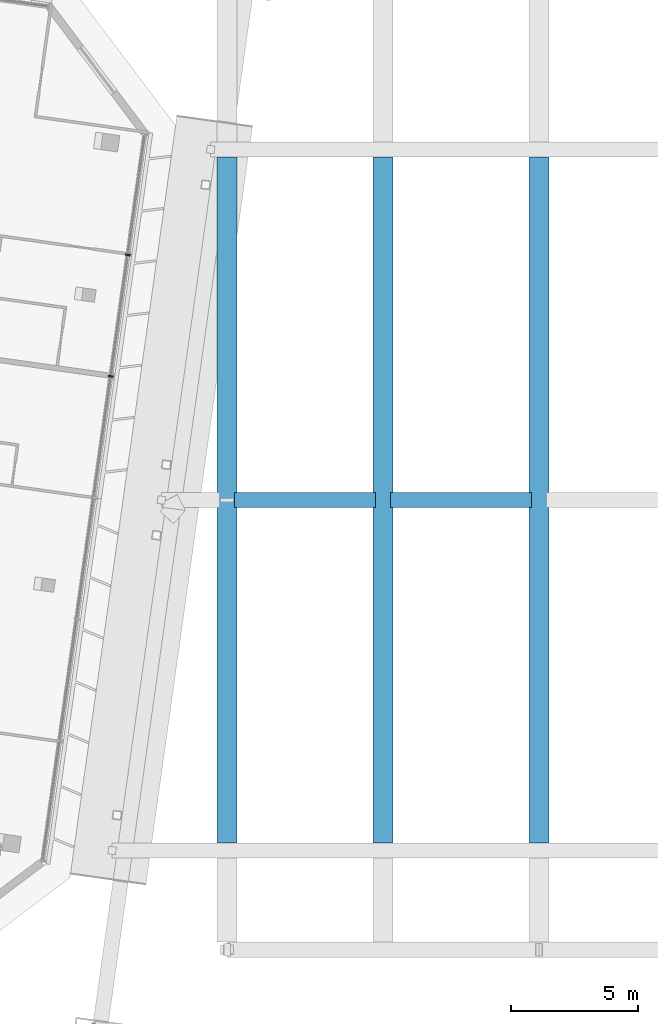
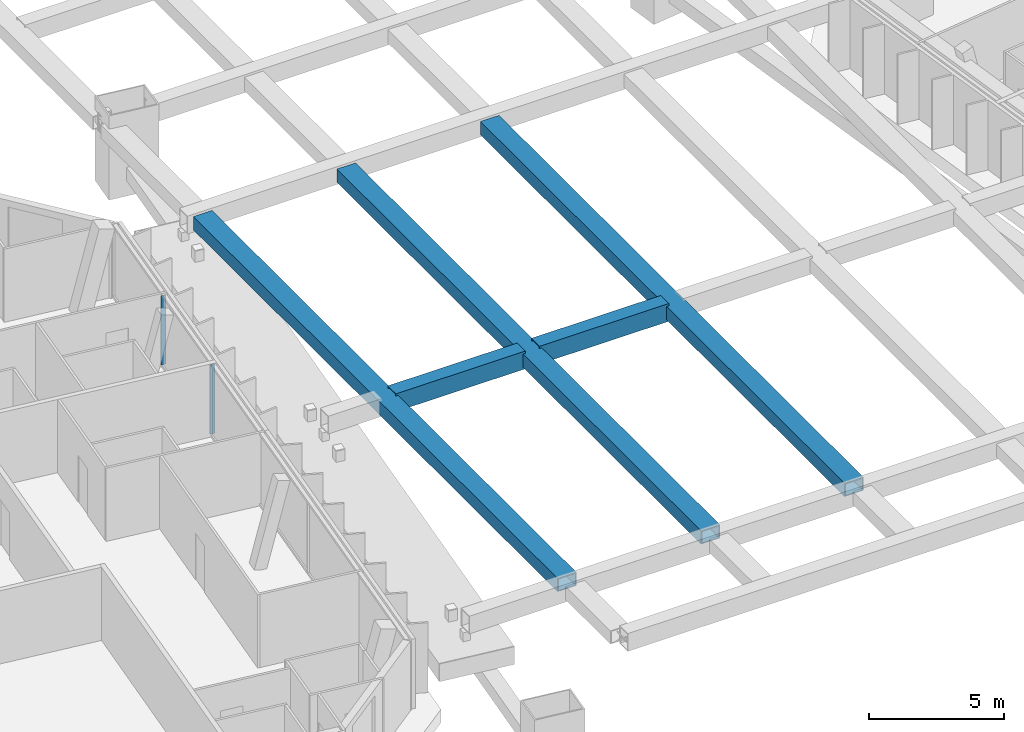
# One storey, part 8 of 36: 7 members, 1 element without a shape of its own.
"""IFC4 building model written with IfcOpenShell, lengths in metres."""

from ifc_helpers import new_model, si_unit, direction, frame, origin, origin_2d, place, context, subcontext, project, spatial, rectangle, hollow_rectangle, extrude, material, material_profile, profile_set, type_object, element, aggregate, save


model = new_model("IFC4")

# Units and contexts
model_context = context("Model", 3, precision=1e-05, world=origin(), true_north=direction((0.0, 1.0)))
body_context = subcontext(model_context, "Body", "Model", "MODEL_VIEW")
ifc_project = project(units=[si_unit("LENGTHUNIT", "METRE"), si_unit("AREAUNIT", "SQUARE_METRE"), si_unit("VOLUMEUNIT", "CUBIC_METRE"), si_unit("PLANEANGLEUNIT", "RADIAN"), si_unit("MASSUNIT", "GRAM", prefix="KILO")], contexts=[model_context])

# Site, building, storey
site_placement = place(None, origin())
site = spatial("IfcSite", under=ifc_project, at=site_placement, CompositionType="ELEMENT")
building_placement = place(site_placement, origin())
building = spatial("IfcBuilding", under=site, at=building_placement, Name="Mirante Cascada Hotel Towers", CompositionType="ELEMENT")
storey_placement = place(building_placement, frame((0.0, 0.0, 254.6)))
storey = spatial("IfcBuildingStorey", under=building, at=storey_placement, Name="L61", CompositionType="ELEMENT", Elevation=254.6)

# Members
ifc_material_1 = material(Name="Steel ASTM A572 Gr 50", Category="steel")
ifc_material_profile_1 = material_profile(ifc_material_1, hollow_rectangle(XDim=0.6, YDim=0.8, WallThickness=0.04, at=origin_2d()), Name="Box chord 800x600x40 ASTM A572 Gr 50")
ifc_profile_set_1 = profile_set([ifc_material_profile_1], Name="Steel ASTM A572 Gr 50")
member_type_1 = type_object("IfcMemberType", Name="Box chord 800x600x40 ASTM A572 Gr 50", PredefinedType="CHORD", material=ifc_profile_set_1)
for number, where, z_axis, x_axis, name in (
    (1, (-12.2514, -17.3153, 2.9), (0.0, 1.0, 0.0), (0.0, 0.0, 1.0), "dchord sky park L62 2"),
    (2, (-6.1257, -17.3153, 2.9), (0.0, 1.0, 0.0), (0.0, 0.0, 1.0), "dchord sky park L62 6"),
    (3, (0.0, -17.3153, 2.9), (0.0, 1.0, 0.0), (0.0, 0.0, 1.0), "dchord sky park L62 10"),
):
    element("IfcMember", number, at=place(storey_placement, frame(where, z_axis=z_axis, x_axis=x_axis)), inside=storey, type_object=member_type_1, Name=name, PredefinedType="CHORD", context=body_context, shape_type="SweptSolid", body=[
        extrude(hollow_rectangle(XDim=0.6, YDim=0.8, WallThickness=0.04, at=origin_2d()), origin(), (0.0, 0.0, 1.0), 26.9295),
    ])
for number, where, z_axis, x_axis, name in (
    (4, (-11.9514, -3.8505, 2.9), (1.0, 0.0, 0.0), (0.0, 1.0, 0.0), "dchord sky park L62 23"),
    (5, (-5.8257, -3.8505, 2.9), (1.0, 0.0, 0.0), (0.0, 1.0, 0.0), "dchord sky park L62 24"),
):
    element("IfcMember", number, at=place(storey_placement, frame(where, z_axis=z_axis, x_axis=x_axis)), inside=storey, type_object=member_type_1, Name=name, PredefinedType="CHORD", context=body_context, shape_type="SweptSolid", body=[
        extrude(hollow_rectangle(XDim=0.6, YDim=0.8, WallThickness=0.04, at=origin_2d()), origin(), (0.0, 0.0, 1.0), 5.5257),
    ])

# Curtain wall, members
ifc_material_2 = material(Name="Aluminium mullion and transom frame with clear laminated glass", Category="aluminium")
curtain_wall_type = type_object("IfcCurtainWallType", Name="End ribbon curtain wall ECW2", PredefinedType="NOTDEFINED", material=ifc_material_2)
curtain_wall_placement = place(storey_placement, origin())
curtain_wall = element("IfcCurtainWall", 6, at=curtain_wall_placement, inside=storey, type_object=curtain_wall_type, Name="Inner end wall T1 L61", PredefinedType="NOTDEFINED")
ifc_material_3 = material(Name="Anodised aluminium extrusion", Category="aluminium")
ifc_material_profile_2 = material_profile(ifc_material_3, rectangle(XDim=0.2, YDim=0.065, at=origin_2d()), Name="ECW2 MULLION 65x200")
ifc_profile_set_2 = profile_set([ifc_material_profile_2], Name="Anodised aluminium extrusion")
member_type_2 = type_object("IfcMemberType", Name="ECW2 mullion 65x200", PredefinedType="MULLION", material=ifc_profile_set_2)
member_1_placement = place(storey_placement, frame((-16.1456, 5.7727, 0.1), z_axis=(0.0, 0.0, 1.0), x_axis=(0.9902681, -0.1391731, 0.0)))
member_1 = element("IfcMember", 7, at=member_1_placement, type_object=member_type_2, Name="ECW2 mullion 2", PredefinedType="MULLION", context=body_context, shape_type="SweptSolid", body=[
    extrude(rectangle(XDim=0.2, YDim=0.065, at=origin_2d()), origin(), (0.0, 0.0, 1.0), 3.1),
])
member_2_placement = place(storey_placement, frame((-16.8153, 1.0069, 0.1), z_axis=(0.0, 0.0, 1.0), x_axis=(0.9902681, -0.1391731, 0.0)))
member_2 = element("IfcMember", 8, at=member_2_placement, type_object=member_type_2, Name="ECW2 mullion 3", PredefinedType="MULLION", context=body_context, shape_type="SweptSolid", body=[
    extrude(rectangle(XDim=0.2, YDim=0.065, at=origin_2d()), origin(), (0.0, 0.0, 1.0), 3.1),
])
aggregate(curtain_wall, [member_1, member_2])

save(model, "model.ifc")
